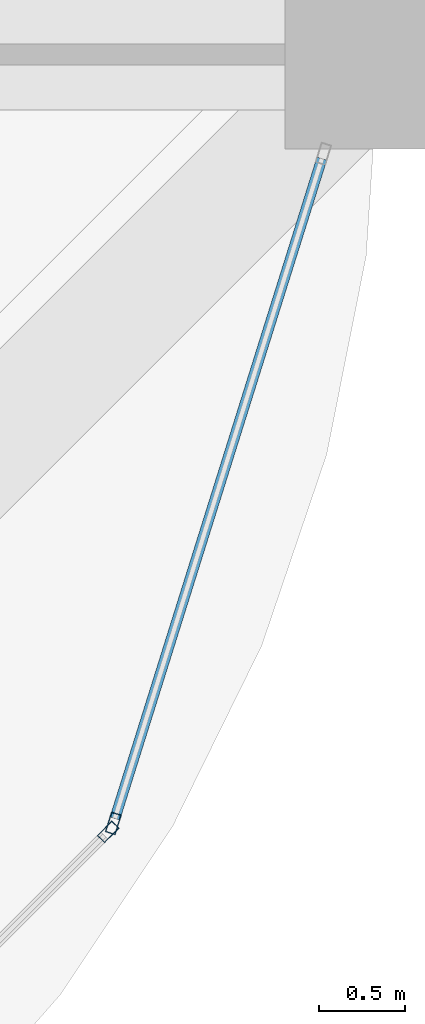
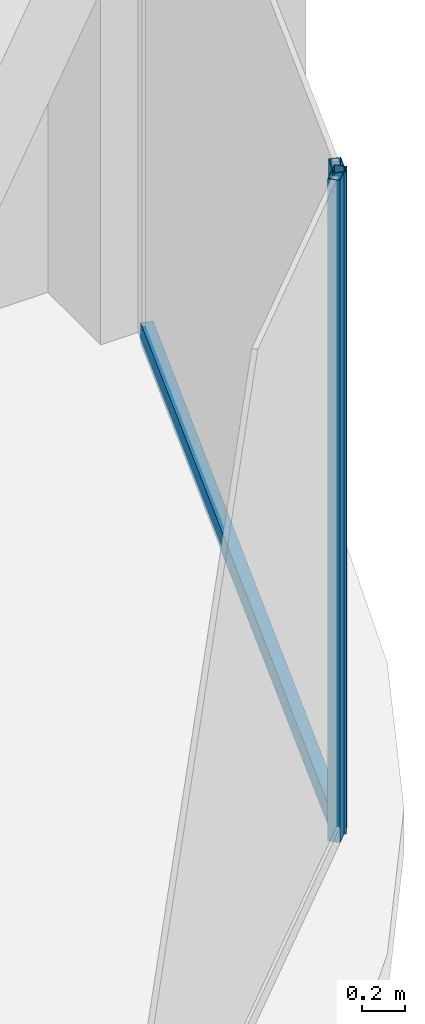
# One storey, part 20 of 44: 3 members, 2 elements without a shape of their own.
"""IFC4 building model written with IfcOpenShell, lengths in metres."""

from ifc_helpers import new_model, si_unit, direction, frame, origin, origin_2d, place, context, subcontext, project, spatial, hollow_rectangle, extrude, material, material_profile, profile_set, type_object, element, aggregate, save


model = new_model("IFC4")

# Units and contexts
model_context = context("Model", 3, precision=1e-05, world=origin(), true_north=direction((0.0, 1.0)))
body_context = subcontext(model_context, "Body", "Model", "MODEL_VIEW")
ifc_project = project(units=[si_unit("LENGTHUNIT", "METRE"), si_unit("AREAUNIT", "SQUARE_METRE"), si_unit("VOLUMEUNIT", "CUBIC_METRE"), si_unit("PLANEANGLEUNIT", "RADIAN"), si_unit("MASSUNIT", "GRAM", prefix="KILO")], contexts=[model_context])

# Site, building, storey
site_placement = place(None, origin())
site = spatial("IfcSite", under=ifc_project, at=site_placement, CompositionType="ELEMENT")
building_placement = place(site_placement, origin())
building = spatial("IfcBuilding", under=site, at=building_placement, Name="Zorevar Civic Tower", CompositionType="ELEMENT")
storey_placement = place(building_placement, frame((0.0, 0.0, 259.39990234375)))
storey = spatial("IfcBuildingStorey", under=building, at=storey_placement, Name="L63", CompositionType="ELEMENT", Elevation=259.39990234375)

# Curtain wall, member
ifc_material_1 = material(Name="Dark grey solar-control glass in black aluminium frame", Category="aluminium")
curtain_wall_type = type_object("IfcCurtainWallType", Name="Curtain wall CW5 top zone", PredefinedType="NOTDEFINED", material=ifc_material_1)
curtain_wall_1_placement = place(storey_placement, origin())
curtain_wall_1 = element("IfcCurtainWall", 1, at=curtain_wall_1_placement, inside=storey, type_object=curtain_wall_type, Name="CW5 L63", PredefinedType="NOTDEFINED")
ifc_material_2 = material(Name="Aluminium, black anodised", Category="aluminium")
ifc_material_profile_1 = material_profile(ifc_material_2, hollow_rectangle(XDim=0.06005859375, YDim=0.1201171875, WallThickness=0.0029296875, at=origin_2d()), Name="AL 120x60x3")
ifc_profile_set_1 = profile_set([ifc_material_profile_1], Name="Aluminium, black anodised")
member_type_1 = type_object("IfcMemberType", Name="CW5 mullion AL 120x60x3", PredefinedType="MULLION", material=ifc_profile_set_1)
member_1_placement = place(storey_placement, frame((52.419677734375, 4.470947265625, 0.0), z_axis=(0.0, 0.0, 1.0), x_axis=(-0.707106781187, 0.707106781187, 0.0)))
member_1 = element("IfcMember", 2, at=member_1_placement, type_object=member_type_1, Name="CW5 mullion 2", PredefinedType="MULLION", context=body_context, shape_type="SweptSolid", body=[
    extrude(hollow_rectangle(XDim=0.06005859375, YDim=0.1201171875, WallThickness=0.0029296875, at=origin_2d()), origin(), (0.0, 0.0, 1.0), 3.75),
])
aggregate(curtain_wall_1, [member_1])

# Curtain wall, members
curtain_wall_2_placement = place(storey_placement, origin())
curtain_wall_2 = element("IfcCurtainWall", 3, at=curtain_wall_2_placement, inside=storey, type_object=curtain_wall_type, Name="CW5 L63", PredefinedType="NOTDEFINED")
member_2_placement = place(storey_placement, frame((52.449951171875, 4.520751953125, 0.0), z_axis=(0.0, 0.0, 1.0), x_axis=(-0.954153437674, 0.299317920238, 0.0)))
member_2 = element("IfcMember", 4, at=member_2_placement, type_object=member_type_1, Name="CW5 mullion 1", PredefinedType="MULLION", context=body_context, shape_type="SweptSolid", body=[
    extrude(hollow_rectangle(XDim=0.06005859375, YDim=0.1201171875, WallThickness=0.0029296875, at=origin_2d()), origin(), (0.0, 0.0, 1.0), 3.75),
])
ifc_material_3 = material(Name="Aluminium, black anodised", Category="aluminium")
ifc_material_profile_2 = material_profile(ifc_material_3, hollow_rectangle(XDim=0.06005859375, YDim=0.1201171875, WallThickness=0.0029296875, at=origin_2d()), Name="AL 120x60x3")
ifc_profile_set_2 = profile_set([ifc_material_profile_2], Name="Aluminium, black anodised")
member_type_2 = type_object("IfcMemberType", Name="CW5 transom AL 120x60x3", PredefinedType="USERDEFINED", material=ifc_profile_set_2)
member_3_placement = place(storey_placement, frame((52.458984375, 4.54931640625, 0.030029296875), z_axis=(0.299285978047, 0.954163457351, 0.0), x_axis=(-0.954163457351, 0.299285978047, 0.0)))
member_3 = element("IfcMember", 5, at=member_3_placement, type_object=member_type_2, Name="CW5 sill transom", ObjectType="TRANSOM", PredefinedType="USERDEFINED", context=body_context, shape_type="SweptSolid", body=[
    extrude(hollow_rectangle(XDim=0.06005859375, YDim=0.1201171875, WallThickness=0.0029296875, at=origin_2d()), origin(), (0.0, 0.0, 1.0), 4.028076171875),
])
aggregate(curtain_wall_2, [member_2, member_3])

save(model, "model.ifc")
